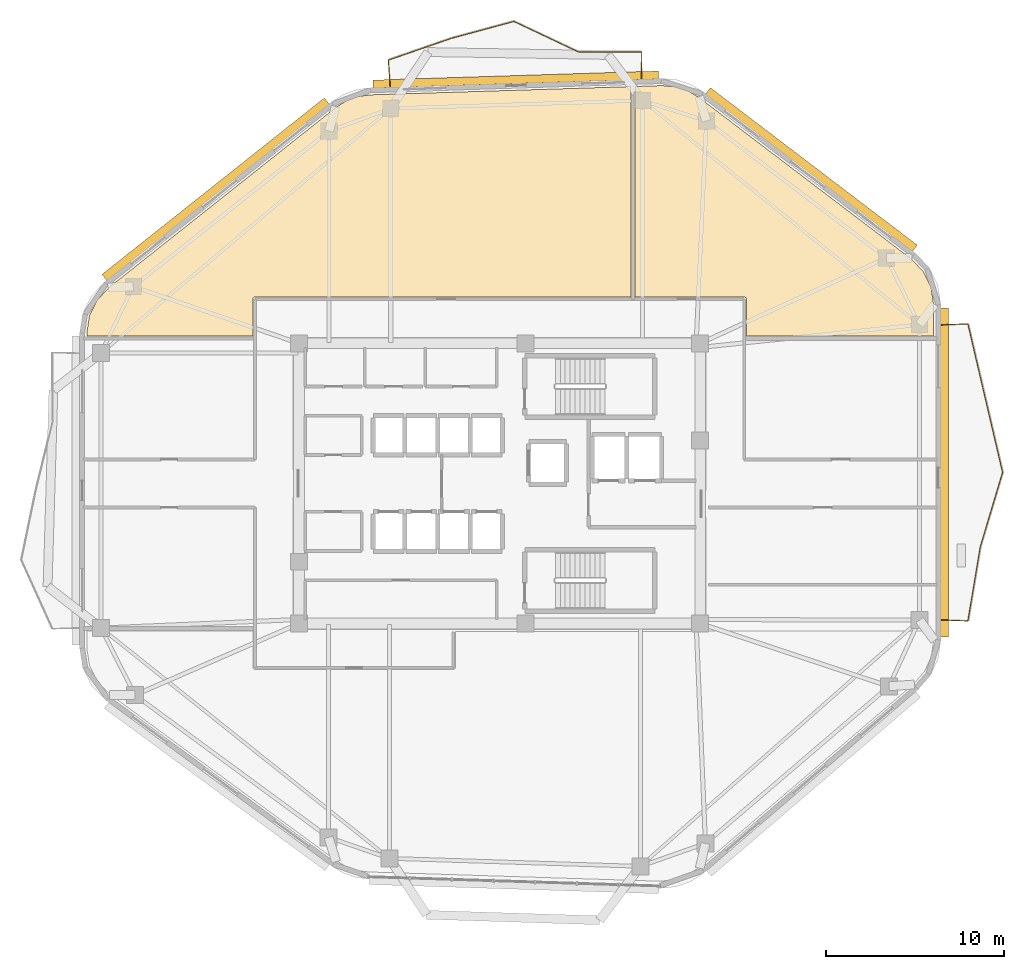
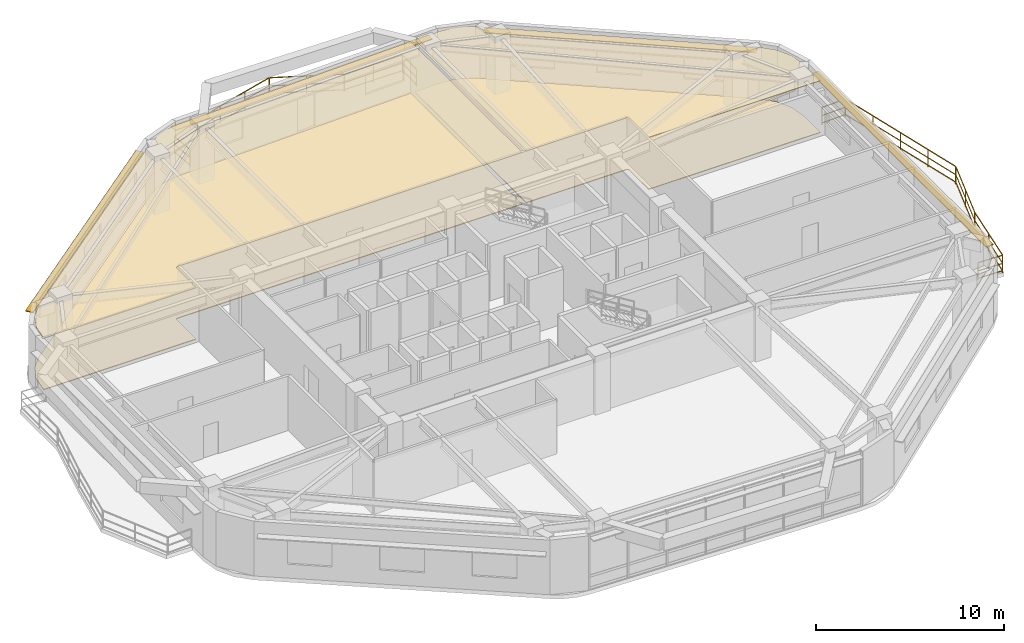
# One storey, part 12 of 12: 11 railings, 4 coverings, 4 shading devices.
"""IFC4 building model written with IfcOpenShell, lengths in metres."""

from ifc_helpers import new_model, si_unit, direction, frame, origin, origin_2d, place, context, subcontext, project, spatial, polyline, rectangle, outline, extrude, material, layer, layer_set, type_object, element, save


model = new_model("IFC4")

# Units and contexts
model_context = context("Model", 3, precision=1e-05, world=origin(), true_north=direction((0.0, 1.0)))
body_context = subcontext(model_context, "Body", "Model", "MODEL_VIEW")
ifc_project = project(units=[si_unit("LENGTHUNIT", "METRE"), si_unit("AREAUNIT", "SQUARE_METRE"), si_unit("VOLUMEUNIT", "CUBIC_METRE"), si_unit("PLANEANGLEUNIT", "RADIAN"), si_unit("MASSUNIT", "GRAM", prefix="KILO")], contexts=[model_context])

# Site, building, storey
site_placement = place(None, origin())
site = spatial("IfcSite", under=ifc_project, at=site_placement, CompositionType="ELEMENT")
building_placement = place(site_placement, origin())
building = spatial("IfcBuilding", under=site, at=building_placement, Name="Zulverin Broadcast Headquarters", CompositionType="ELEMENT")
storey_placement = place(building_placement, frame((0.0, 0.0, 185.800048828125)))
storey = spatial("IfcBuildingStorey", under=building, at=storey_placement, Name="L47", CompositionType="ELEMENT", Elevation=185.800048828125)

# Coverings
ifc_material_1 = material(Name="Perforated pale-metal acoustic baffle ceiling", Category="aluminium")
ifc_layer_1 = layer(ifc_material_1, 0.0400390625, Name="Perforated pale-metal acoustic baffle ceiling", Category="aluminium")
ifc_layer_set_1 = layer_set([ifc_layer_1], Name="Perforated pale-metal acoustic baffle ceiling")
covering_type_1 = type_object("IfcCoveringType", Name="COV-CEIL-ACOU", PredefinedType="CEILING", material=ifc_layer_set_1)
covering_1_placement = place(storey_placement, frame((0.0, 0.0, 3.35986328125)))
element("IfcCovering", 1, at=covering_1_placement, inside=storey, type_object=covering_type_1, Name="L47 Acoustic Baffle Ceiling 01", PredefinedType="CEILING", context=body_context, shape_type="SweptSolid", body=[
    extrude(outline(polyline([(29.031982421875, 46.944091796875), (28.39599609375, 46.7080078125), (27.800048828125, 46.33203125), (15.031982421875, 36.199951171875), (14.364013671875, 35.47607421875), (13.947998046875, 34.615966796875), (13.800048828125, 33.64404296875), (13.800048828125, 33.5), (23.132080078125, 33.5), (23.132080078125, 35.552001953125), (23.132080078125, 35.56396484375), (23.135986328125, 35.575927734375), (23.135986328125, 35.587890625), (23.139892578125, 35.595947265625), (23.14794921875, 35.60791015625), (23.152099609375, 35.6201171875), (23.159912109375, 35.6279296875), (23.16796875, 35.635986328125), (23.176025390625, 35.64404296875), (23.18408203125, 35.652099609375), (23.196044921875, 35.656005859375), (23.2080078125, 35.6640625), (23.216064453125, 35.66796875), (23.22802734375, 35.66796875), (23.239990234375, 35.672119140625), (23.251953125, 35.672119140625), (44.3798828125, 35.672119140625), (44.3798828125, 47.50390625), (29.73193359375, 47.0400390625), (29.031982421875, 46.944091796875)])), origin(), (0.0, 0.0, 1.0), 0.0400390625),
])
covering_2_placement = place(storey_placement, frame((0.0, 0.0, 3.35986328125)))
element("IfcCovering", 2, at=covering_2_placement, inside=storey, type_object=covering_type_1, Name="L47 Acoustic Baffle Ceiling 02", PredefinedType="CEILING", context=body_context, shape_type="SweptSolid", body=[
    extrude(outline(polyline([(60.81201171875, 37.112060546875), (60.112060546875, 37.840087890625), (48.2080078125, 46.89208984375), (47.568115234375, 47.27587890625), (46.8759765625, 47.49609375), (46.1279296875, 47.56005859375), (44.6201171875, 47.511962890625), (44.6201171875, 35.672119140625), (50.751953125, 35.672119140625), (50.763916015625, 35.672119140625), (50.77587890625, 35.66796875), (50.7880859375, 35.66796875), (50.7958984375, 35.6640625), (50.80810546875, 35.656005859375), (50.820068359375, 35.652099609375), (50.827880859375, 35.64404296875), (50.8359375, 35.635986328125), (50.843994140625, 35.6279296875), (50.85205078125, 35.6201171875), (50.85595703125, 35.60791015625), (50.864013671875, 35.595947265625), (50.867919921875, 35.587890625), (50.867919921875, 35.575927734375), (50.8720703125, 35.56396484375), (50.8720703125, 35.552001953125), (50.8720703125, 33.5), (61.39990234375, 33.5), (61.39990234375, 35.239990234375), (61.243896484375, 36.236083984375), (60.81201171875, 37.112060546875)])), origin(), (0.0, 0.0, 1.0), 0.0400390625),
])
ifc_material_2 = material(Name="Anti-static broadcast raised access flooring", Category="stone")
ifc_layer_2 = layer(ifc_material_2, 0.050048828125, Name="Anti-static broadcast raised access flooring", Category="stone")
ifc_layer_set_2 = layer_set([ifc_layer_2], Name="Anti-static broadcast raised access flooring")
covering_type_2 = type_object("IfcCoveringType", Name="COV-FLR-RAISED", PredefinedType="FLOORING", material=ifc_layer_set_2)
covering_3_placement = place(storey_placement, origin())
element("IfcCovering", 3, at=covering_3_placement, inside=storey, type_object=covering_type_2, Name="L47 Broadcast Raised Access Flooring 01", PredefinedType="FLOORING", context=body_context, shape_type="SweptSolid", body=[
    extrude(outline(polyline([(29.031982421875, 46.944091796875), (28.39599609375, 46.7080078125), (27.800048828125, 46.33203125), (15.031982421875, 36.199951171875), (14.364013671875, 35.47607421875), (13.947998046875, 34.615966796875), (13.800048828125, 33.64404296875), (13.800048828125, 33.5), (23.132080078125, 33.5), (23.132080078125, 35.552001953125), (23.132080078125, 35.56396484375), (23.135986328125, 35.575927734375), (23.135986328125, 35.587890625), (23.139892578125, 35.595947265625), (23.14794921875, 35.60791015625), (23.152099609375, 35.6201171875), (23.159912109375, 35.6279296875), (23.16796875, 35.635986328125), (23.176025390625, 35.64404296875), (23.18408203125, 35.652099609375), (23.196044921875, 35.656005859375), (23.2080078125, 35.6640625), (23.216064453125, 35.66796875), (23.22802734375, 35.66796875), (23.239990234375, 35.672119140625), (23.251953125, 35.672119140625), (44.3798828125, 35.672119140625), (44.3798828125, 47.50390625), (29.73193359375, 47.0400390625), (29.031982421875, 46.944091796875)])), origin(), (0.0, 0.0, 1.0), 0.050048828125),
])
covering_4_placement = place(storey_placement, origin())
element("IfcCovering", 4, at=covering_4_placement, inside=storey, type_object=covering_type_2, Name="L47 Broadcast Raised Access Flooring 02", PredefinedType="FLOORING", context=body_context, shape_type="SweptSolid", body=[
    extrude(outline(polyline([(60.81201171875, 37.112060546875), (60.112060546875, 37.840087890625), (48.2080078125, 46.89208984375), (47.568115234375, 47.27587890625), (46.8759765625, 47.49609375), (46.1279296875, 47.56005859375), (44.6201171875, 47.511962890625), (44.6201171875, 35.672119140625), (50.751953125, 35.672119140625), (50.763916015625, 35.672119140625), (50.77587890625, 35.66796875), (50.7880859375, 35.66796875), (50.7958984375, 35.6640625), (50.80810546875, 35.656005859375), (50.820068359375, 35.652099609375), (50.827880859375, 35.64404296875), (50.8359375, 35.635986328125), (50.843994140625, 35.6279296875), (50.85205078125, 35.6201171875), (50.85595703125, 35.60791015625), (50.864013671875, 35.595947265625), (50.867919921875, 35.587890625), (50.867919921875, 35.575927734375), (50.8720703125, 35.56396484375), (50.8720703125, 35.552001953125), (50.8720703125, 33.5), (61.39990234375, 33.5), (61.39990234375, 35.239990234375), (61.243896484375, 36.236083984375), (60.81201171875, 37.112060546875)])), origin(), (0.0, 0.0, 1.0), 0.050048828125),
])

# Railings
ifc_material_3 = material(Name="Brushed stainless steel & laminated glass balustrade", Category="steel")
railing_type = type_object("IfcRailingType", Name="RL-GUARD-1150", PredefinedType="GUARDRAIL", material=ifc_material_3)
railing_1_placement = place(storey_placement, frame((61.840087890625, 17.529296875, 0.0)))
element("IfcRailing", 5, at=railing_1_placement, inside=storey, type_object=railing_type, Name="L47 Vertical-Forest Balcony Guardrail BAL_E Segment 01", PredefinedType="GUARDRAIL", context=body_context, shape_type="SweptSolid", body=[
    extrude(rectangle(XDim=0.048095703125, YDim=0.048095703125, at=origin_2d()), frame((0.0, 0.0, 1.1259765625), z_axis=(0.99918088253, -0.040466825742, 0.0), x_axis=(0.040466825742, 0.99918088253, 0.0)), (0.0, 0.0, 1.0), 1.466064453125),
    extrude(rectangle(XDim=0.0419921875, YDim=0.0419921875, at=origin_2d()), frame((0.0, 0.0, 0.597900390625), z_axis=(0.99918088253, -0.040466825742, 0.0), x_axis=(0.040466825742, 0.99918088253, 0.0)), (0.0, 0.0, 1.0), 1.466064453125),
    extrude(rectangle(XDim=0.0419921875, YDim=0.0419921875, at=origin_2d()), frame((0.0, 0.0, 0.1201171875), z_axis=(0.99918088253, -0.040466825742, 0.0), x_axis=(0.040466825742, 0.99918088253, 0.0)), (0.0, 0.0, 1.0), 1.466064453125),
    extrude(rectangle(XDim=0.0419921875, YDim=0.0419921875, at=origin_2d()), origin(), (0.0, 0.0, 1.0), 1.101806640625),
    extrude(rectangle(XDim=0.0419921875, YDim=0.0419921875, at=origin_2d()), frame((1.46484375, -0.059326171875, 0.0)), (0.0, 0.0, 1.0), 1.101806640625),
])
railing_2_placement = place(storey_placement, frame((63.322509765625, 17.484130859375, 0.0)))
element("IfcRailing", 6, at=railing_2_placement, inside=storey, type_object=railing_type, Name="L47 Vertical-Forest Balcony Guardrail BAL_E Segment 02", PredefinedType="GUARDRAIL", context=body_context, shape_type="SweptSolid", body=[
    extrude(rectangle(XDim=0.048095703125, YDim=0.048095703125, at=origin_2d()), frame((0.0, 0.0, 1.1259765625), z_axis=(0.165180666509, 0.986263325594, 0.0), x_axis=(-0.986263325594, 0.165180666509, 0.0)), (0.0, 0.0, 1.0), 4.20361328125),
    extrude(rectangle(XDim=0.0419921875, YDim=0.0419921875, at=origin_2d()), frame((0.0, 0.0, 0.597900390625), z_axis=(0.165180666509, 0.986263325594, 0.0), x_axis=(-0.986263325594, 0.165180666509, 0.0)), (0.0, 0.0, 1.0), 4.20361328125),
    extrude(rectangle(XDim=0.0419921875, YDim=0.0419921875, at=origin_2d()), frame((0.0, 0.0, 0.1201171875), z_axis=(0.165180666509, 0.986263325594, 0.0), x_axis=(-0.986263325594, 0.165180666509, 0.0)), (0.0, 0.0, 1.0), 4.20361328125),
    extrude(rectangle(XDim=0.0419921875, YDim=0.0419921875, at=origin_2d()), origin(), (0.0, 0.0, 1.0), 1.101806640625),
    extrude(rectangle(XDim=0.0419921875, YDim=0.0419921875, at=origin_2d()), frame((0.34716796875, 2.07275390625, 0.0)), (0.0, 0.0, 1.0), 1.101806640625),
    extrude(rectangle(XDim=0.0419921875, YDim=0.0419921875, at=origin_2d()), frame((0.6943359375, 4.145751953125, 0.0)), (0.0, 0.0, 1.0), 1.101806640625),
])
railing_3_placement = place(storey_placement, frame((64.023681640625, 21.6591796875, 0.0)))
element("IfcRailing", 7, at=railing_3_placement, inside=storey, type_object=railing_type, Name="L47 Vertical-Forest Balcony Guardrail BAL_E Segment 03", PredefinedType="GUARDRAIL", context=body_context, shape_type="SweptSolid", body=[
    extrude(rectangle(XDim=0.048095703125, YDim=0.048095703125, at=origin_2d()), frame((0.0, 0.0, 1.1259765625), z_axis=(0.286908036863, 0.957958129765, 0.0), x_axis=(-0.957958129765, 0.286908036863, 0.0)), (0.0, 0.0, 1.0), 4.32861328125),
    extrude(rectangle(XDim=0.0419921875, YDim=0.0419921875, at=origin_2d()), frame((0.0, 0.0, 0.597900390625), z_axis=(0.286908036863, 0.957958129765, 0.0), x_axis=(-0.957958129765, 0.286908036863, 0.0)), (0.0, 0.0, 1.0), 4.32861328125),
    extrude(rectangle(XDim=0.0419921875, YDim=0.0419921875, at=origin_2d()), frame((0.0, 0.0, 0.1201171875), z_axis=(0.286908036863, 0.957958129765, 0.0), x_axis=(-0.957958129765, 0.286908036863, 0.0)), (0.0, 0.0, 1.0), 4.32861328125),
    extrude(rectangle(XDim=0.0419921875, YDim=0.0419921875, at=origin_2d()), origin(), (0.0, 0.0, 1.0), 1.101806640625),
    extrude(rectangle(XDim=0.0419921875, YDim=0.0419921875, at=origin_2d()), frame((0.62109375, 2.0732421875, 0.0)), (0.0, 0.0, 1.0), 1.101806640625),
    extrude(rectangle(XDim=0.0419921875, YDim=0.0419921875, at=origin_2d()), frame((1.241943359375, 4.146728515625, 0.0)), (0.0, 0.0, 1.0), 1.101806640625),
])
railing_4_placement = place(storey_placement, frame((65.2666015625, 25.8349609375, 0.0)))
element("IfcRailing", 8, at=railing_4_placement, inside=storey, type_object=railing_type, Name="L47 Vertical-Forest Balcony Guardrail BAL_E Segment 04", PredefinedType="GUARDRAIL", context=body_context, shape_type="SweptSolid", body=[
    extrude(rectangle(XDim=0.048095703125, YDim=0.048095703125, at=origin_2d()), frame((0.0, 0.0, 1.1259765625), z_axis=(-0.227375013323, 0.973807272162, 0.0), x_axis=(-0.973807272162, -0.227375013323, 0.0)), (0.0, 0.0, 1.0), 8.5458984375),
    extrude(rectangle(XDim=0.0419921875, YDim=0.0419921875, at=origin_2d()), frame((0.0, 0.0, 0.597900390625), z_axis=(-0.227375013323, 0.973807272162, 0.0), x_axis=(-0.973807272162, -0.227375013323, 0.0)), (0.0, 0.0, 1.0), 8.5458984375),
    extrude(rectangle(XDim=0.0419921875, YDim=0.0419921875, at=origin_2d()), frame((0.0, 0.0, 0.1201171875), z_axis=(-0.227375013323, 0.973807272162, 0.0), x_axis=(-0.973807272162, -0.227375013323, 0.0)), (0.0, 0.0, 1.0), 8.5458984375),
    extrude(rectangle(XDim=0.0419921875, YDim=0.0419921875, at=origin_2d()), origin(), (0.0, 0.0, 1.0), 1.101806640625),
    extrude(rectangle(XDim=0.0419921875, YDim=0.0419921875, at=origin_2d()), frame((-0.48583984375, 2.08056640625, 0.0)), (0.0, 0.0, 1.0), 1.101806640625),
    extrude(rectangle(XDim=0.0419921875, YDim=0.0419921875, at=origin_2d()), frame((-0.9716796875, 4.1611328125, 0.0)), (0.0, 0.0, 1.0), 1.101806640625),
    extrude(rectangle(XDim=0.0419921875, YDim=0.0419921875, at=origin_2d()), frame((-1.457275390625, 6.241455078125, 0.0)), (0.0, 0.0, 1.0), 1.101806640625),
    extrude(rectangle(XDim=0.0419921875, YDim=0.0419921875, at=origin_2d()), frame((-1.943115234375, 8.322021484375, 0.0)), (0.0, 0.0, 1.0), 1.101806640625),
])
railing_5_placement = place(storey_placement, frame((63.304931640625, 34.1708984375, 0.0)))
element("IfcRailing", 9, at=railing_5_placement, inside=storey, type_object=railing_type, Name="L47 Vertical-Forest Balcony Guardrail BAL_E Segment 05", PredefinedType="GUARDRAIL", context=body_context, shape_type="SweptSolid", body=[
    extrude(rectangle(XDim=0.048095703125, YDim=0.048095703125, at=origin_2d()), frame((0.0, 0.0, 1.1259765625), z_axis=(-0.99918088253, -0.040466825742, 0.0), x_axis=(0.040466825742, -0.99918088253, 0.0)), (0.0, 0.0, 1.0), 1.466064453125),
    extrude(rectangle(XDim=0.0419921875, YDim=0.0419921875, at=origin_2d()), frame((0.0, 0.0, 0.597900390625), z_axis=(-0.99918088253, -0.040466825742, 0.0), x_axis=(0.040466825742, -0.99918088253, 0.0)), (0.0, 0.0, 1.0), 1.466064453125),
    extrude(rectangle(XDim=0.0419921875, YDim=0.0419921875, at=origin_2d()), frame((0.0, 0.0, 0.1201171875), z_axis=(-0.99918088253, -0.040466825742, 0.0), x_axis=(0.040466825742, -0.99918088253, 0.0)), (0.0, 0.0, 1.0), 1.466064453125),
    extrude(rectangle(XDim=0.0419921875, YDim=0.0419921875, at=origin_2d()), origin(), (0.0, 0.0, 1.0), 1.101806640625),
    extrude(rectangle(XDim=0.0419921875, YDim=0.0419921875, at=origin_2d()), frame((-1.46484375, -0.059326171875, 0.0)), (0.0, 0.0, 1.0), 1.101806640625),
])
railing_6_placement = place(storey_placement, frame((44.978271484375, 47.962646484375, 0.0)))
element("IfcRailing", 10, at=railing_6_placement, inside=storey, type_object=railing_type, Name="L47 Vertical-Forest Balcony Guardrail BAL_N Segment 01", PredefinedType="GUARDRAIL", context=body_context, shape_type="SweptSolid", body=[
    extrude(rectangle(XDim=0.048095703125, YDim=0.048095703125, at=origin_2d()), frame((0.0, 0.0, 1.1259765625), z_axis=(0.008825634609, 0.999961053328, 0.0), x_axis=(-0.999961053328, 0.008825634609, 0.0)), (0.0, 0.0, 1.0), 1.466064453125),
    extrude(rectangle(XDim=0.0419921875, YDim=0.0419921875, at=origin_2d()), frame((0.0, 0.0, 0.597900390625), z_axis=(0.008825634609, 0.999961053328, 0.0), x_axis=(-0.999961053328, 0.008825634609, 0.0)), (0.0, 0.0, 1.0), 1.466064453125),
    extrude(rectangle(XDim=0.0419921875, YDim=0.0419921875, at=origin_2d()), frame((0.0, 0.0, 0.1201171875), z_axis=(0.008825634609, 0.999961053328, 0.0), x_axis=(-0.999961053328, 0.008825634609, 0.0)), (0.0, 0.0, 1.0), 1.466064453125),
    extrude(rectangle(XDim=0.0419921875, YDim=0.0419921875, at=origin_2d()), origin(), (0.0, 0.0, 1.0), 1.101806640625),
    extrude(rectangle(XDim=0.0419921875, YDim=0.0419921875, at=origin_2d()), frame((0.012939453125, 1.466064453125, 0.0)), (0.0, 0.0, 1.0), 1.101806640625),
])
railing_7_placement = place(storey_placement, frame((44.976318359375, 49.44384765625, 0.0)))
element("IfcRailing", 11, at=railing_7_placement, inside=storey, type_object=railing_type, Name="L47 Vertical-Forest Balcony Guardrail BAL_N Segment 02", PredefinedType="GUARDRAIL", context=body_context, shape_type="SweptSolid", body=[
    extrude(rectangle(XDim=0.048095703125, YDim=0.048095703125, at=origin_2d()), frame((0.0, 0.0, 1.1259765625), z_axis=(-0.999993798322, 0.003521834384, 0.0), x_axis=(-0.003521834384, -0.999993798322, 0.0)), (0.0, 0.0, 1.0), 3.535400390625),
    extrude(rectangle(XDim=0.0419921875, YDim=0.0419921875, at=origin_2d()), frame((0.0, 0.0, 0.597900390625), z_axis=(-0.999993798322, 0.003521834384, 0.0), x_axis=(-0.003521834384, -0.999993798322, 0.0)), (0.0, 0.0, 1.0), 3.535400390625),
    extrude(rectangle(XDim=0.0419921875, YDim=0.0419921875, at=origin_2d()), frame((0.0, 0.0, 0.1201171875), z_axis=(-0.999993798322, 0.003521834384, 0.0), x_axis=(-0.003521834384, -0.999993798322, 0.0)), (0.0, 0.0, 1.0), 3.535400390625),
    extrude(rectangle(XDim=0.0419921875, YDim=0.0419921875, at=origin_2d()), origin(), (0.0, 0.0, 1.0), 1.101806640625),
    extrude(rectangle(XDim=0.0419921875, YDim=0.0419921875, at=origin_2d()), frame((-1.767578125, 0.00634765625, 0.0)), (0.0, 0.0, 1.0), 1.101806640625),
    extrude(rectangle(XDim=0.0419921875, YDim=0.0419921875, at=origin_2d()), frame((-3.535400390625, 0.012451171875, 0.0)), (0.0, 0.0, 1.0), 1.101806640625),
])
railing_8_placement = place(storey_placement, frame((41.412353515625, 49.462890625, 0.0)))
element("IfcRailing", 12, at=railing_8_placement, inside=storey, type_object=railing_type, Name="L47 Vertical-Forest Balcony Guardrail BAL_N Segment 03", PredefinedType="GUARDRAIL", context=body_context, shape_type="SweptSolid", body=[
    extrude(rectangle(XDim=0.048095703125, YDim=0.048095703125, at=origin_2d()), frame((0.0, 0.0, 1.1259765625), z_axis=(-0.904125358582, 0.427267288671, 0.0), x_axis=(-0.427267288671, -0.904125358582, 0.0)), (0.0, 0.0, 1.0), 3.972900390625),
    extrude(rectangle(XDim=0.0419921875, YDim=0.0419921875, at=origin_2d()), frame((0.0, 0.0, 0.597900390625), z_axis=(-0.904125358582, 0.427267288671, 0.0), x_axis=(-0.427267288671, -0.904125358582, 0.0)), (0.0, 0.0, 1.0), 3.972900390625),
    extrude(rectangle(XDim=0.0419921875, YDim=0.0419921875, at=origin_2d()), frame((0.0, 0.0, 0.1201171875), z_axis=(-0.904125358582, 0.427267288671, 0.0), x_axis=(-0.427267288671, -0.904125358582, 0.0)), (0.0, 0.0, 1.0), 3.972900390625),
    extrude(rectangle(XDim=0.0419921875, YDim=0.0419921875, at=origin_2d()), origin(), (0.0, 0.0, 1.0), 1.101806640625),
    extrude(rectangle(XDim=0.0419921875, YDim=0.0419921875, at=origin_2d()), frame((-1.7958984375, 0.8486328125, 0.0)), (0.0, 0.0, 1.0), 1.101806640625),
    extrude(rectangle(XDim=0.0419921875, YDim=0.0419921875, at=origin_2d()), frame((-3.592041015625, 1.697509765625, 0.0)), (0.0, 0.0, 1.0), 1.101806640625),
])
railing_9_placement = place(storey_placement, frame((37.792236328125, 51.1630859375, 0.0)))
element("IfcRailing", 13, at=railing_9_placement, inside=storey, type_object=railing_type, Name="L47 Vertical-Forest Balcony Guardrail BAL_N Segment 04", PredefinedType="GUARDRAIL", context=body_context, shape_type="SweptSolid", body=[
    extrude(rectangle(XDim=0.048095703125, YDim=0.048095703125, at=origin_2d()), frame((0.0, 0.0, 1.1259765625), z_axis=(-0.965394050687, -0.260795565333, 0.0), x_axis=(0.260795565333, -0.965394050687, 0.0)), (0.0, 0.0, 1.0), 3.63134765625),
    extrude(rectangle(XDim=0.0419921875, YDim=0.0419921875, at=origin_2d()), frame((0.0, 0.0, 0.597900390625), z_axis=(-0.965394050687, -0.260795565333, 0.0), x_axis=(0.260795565333, -0.965394050687, 0.0)), (0.0, 0.0, 1.0), 3.63134765625),
    extrude(rectangle(XDim=0.0419921875, YDim=0.0419921875, at=origin_2d()), frame((0.0, 0.0, 0.1201171875), z_axis=(-0.965394050687, -0.260795565333, 0.0), x_axis=(0.260795565333, -0.965394050687, 0.0)), (0.0, 0.0, 1.0), 3.63134765625),
    extrude(rectangle(XDim=0.0419921875, YDim=0.0419921875, at=origin_2d()), origin(), (0.0, 0.0, 1.0), 1.101806640625),
    extrude(rectangle(XDim=0.0419921875, YDim=0.0419921875, at=origin_2d()), frame((-1.7529296875, -0.4736328125, 0.0)), (0.0, 0.0, 1.0), 1.101806640625),
    extrude(rectangle(XDim=0.0419921875, YDim=0.0419921875, at=origin_2d()), frame((-3.505615234375, -0.947021484375, 0.0)), (0.0, 0.0, 1.0), 1.101806640625),
])
railing_10_placement = place(storey_placement, frame((34.2578125, 50.207275390625, 0.0)))
element("IfcRailing", 14, at=railing_10_placement, inside=storey, type_object=railing_type, Name="L47 Vertical-Forest Balcony Guardrail BAL_N Segment 05", PredefinedType="GUARDRAIL", context=body_context, shape_type="SweptSolid", body=[
    extrude(rectangle(XDim=0.048095703125, YDim=0.048095703125, at=origin_2d()), frame((0.0, 0.0, 1.1259765625), z_axis=(-0.945013517275, -0.327031270932, 0.0), x_axis=(0.327031270932, -0.945013517275, 0.0)), (0.0, 0.0, 1.0), 3.701416015625),
    extrude(rectangle(XDim=0.0419921875, YDim=0.0419921875, at=origin_2d()), frame((0.0, 0.0, 0.597900390625), z_axis=(-0.945013517275, -0.327031270932, 0.0), x_axis=(0.327031270932, -0.945013517275, 0.0)), (0.0, 0.0, 1.0), 3.701416015625),
    extrude(rectangle(XDim=0.0419921875, YDim=0.0419921875, at=origin_2d()), frame((0.0, 0.0, 0.1201171875), z_axis=(-0.945013517275, -0.327031270932, 0.0), x_axis=(0.327031270932, -0.945013517275, 0.0)), (0.0, 0.0, 1.0), 3.701416015625),
    extrude(rectangle(XDim=0.0419921875, YDim=0.0419921875, at=origin_2d()), origin(), (0.0, 0.0, 1.0), 1.101806640625),
    extrude(rectangle(XDim=0.0419921875, YDim=0.0419921875, at=origin_2d()), frame((-1.7490234375, -0.605224609375, 0.0)), (0.0, 0.0, 1.0), 1.101806640625),
    extrude(rectangle(XDim=0.0419921875, YDim=0.0419921875, at=origin_2d()), frame((-3.497802734375, -1.21044921875, 0.0)), (0.0, 0.0, 1.0), 1.101806640625),
])
railing_11_placement = place(storey_placement, frame((30.7470703125, 48.976806640625, 0.0)))
element("IfcRailing", 15, at=railing_11_placement, inside=storey, type_object=railing_type, Name="L47 Vertical-Forest Balcony Guardrail BAL_N Segment 06", PredefinedType="GUARDRAIL", context=body_context, shape_type="SweptSolid", body=[
    extrude(rectangle(XDim=0.048095703125, YDim=0.048095703125, at=origin_2d()), frame((0.0, 0.0, 1.1259765625), z_axis=(0.072110992432, -0.997396613575, 0.0), x_axis=(0.997396613575, 0.072110992432, 0.0)), (0.0, 0.0, 1.0), 1.466064453125),
    extrude(rectangle(XDim=0.0419921875, YDim=0.0419921875, at=origin_2d()), frame((0.0, 0.0, 0.597900390625), z_axis=(0.072110992432, -0.997396613575, 0.0), x_axis=(0.997396613575, 0.072110992432, 0.0)), (0.0, 0.0, 1.0), 1.466064453125),
    extrude(rectangle(XDim=0.0419921875, YDim=0.0419921875, at=origin_2d()), frame((0.0, 0.0, 0.1201171875), z_axis=(0.072110992432, -0.997396613575, 0.0), x_axis=(0.997396613575, 0.072110992432, 0.0)), (0.0, 0.0, 1.0), 1.466064453125),
    extrude(rectangle(XDim=0.0419921875, YDim=0.0419921875, at=origin_2d()), origin(), (0.0, 0.0, 1.0), 1.101806640625),
    extrude(rectangle(XDim=0.0419921875, YDim=0.0419921875, at=origin_2d()), frame((0.105712890625, -1.462158203125, 0.0)), (0.0, 0.0, 1.0), 1.101806640625),
])

# Shading devices
ifc_material_4 = material(Name="Anodized pale-metal aluminium sunshade", Category="aluminium")
ifc_layer_3 = layer(ifc_material_4, 0.06005859375, Name="Anodized pale-metal aluminium sunshade", Category="aluminium")
ifc_layer_set_3 = layer_set([ifc_layer_3], Name="Anodized pale-metal aluminium sunshade")
shading_device_type = type_object("IfcShadingDeviceType", Name="SS-01_PALE_METAL_ALUMINIUM_SUNSHADE", PredefinedType="USERDEFINED", material=ifc_layer_set_3)
shading_device_1_placement = place(storey_placement, frame((62.0, 25.8203125, 2.7099609375), z_axis=(0.0, 0.0, 1.0), x_axis=(0.0, 1.0, 0.0)))
element("IfcShadingDevice", 16, at=shading_device_1_placement, inside=storey, type_object=shading_device_type, Name="L47 Horizontal Pale-Metal Sunshade Band 3", ObjectType="SUNSHADE", PredefinedType="USERDEFINED", context=body_context, shape_type="SweptSolid", body=[
    extrude(rectangle(XDim=18.502197265625, YDim=0.449951171875, at=origin_2d()), origin(), (0.0, 0.0, 1.0), 0.06005859375),
])
shading_device_2_placement = place(storey_placement, frame((54.527587890625, 42.840576171875, 2.7099609375), z_axis=(0.0, 0.0, 1.0), x_axis=(-0.795836111996, 0.605512083152, 0.0)))
element("IfcShadingDevice", 17, at=shading_device_2_placement, inside=storey, type_object=shading_device_type, Name="L47 Horizontal Pale-Metal Sunshade Band 4", ObjectType="SUNSHADE", PredefinedType="USERDEFINED", context=body_context, shape_type="SweptSolid", body=[
    extrude(rectangle(XDim=14.61181640625, YDim=0.449951171875, at=origin_2d()), origin(), (0.0, 0.0, 1.0), 0.06005859375),
])
shading_device_3_placement = place(storey_placement, frame((37.910400390625, 47.8984375, 2.7099609375), z_axis=(0.0, 0.0, 1.0), x_axis=(-0.999497141269, -0.031709061709, 0.0)))
element("IfcShadingDevice", 18, at=shading_device_3_placement, inside=storey, type_object=shading_device_type, Name="L47 Horizontal Pale-Metal Sunshade Band 5", ObjectType="SUNSHADE", PredefinedType="USERDEFINED", context=body_context, shape_type="SweptSolid", body=[
    extrude(rectangle(XDim=16.052490234375, YDim=0.449951171875, at=origin_2d()), origin(), (0.0, 0.0, 1.0), 0.06005859375),
])
shading_device_4_placement = place(storey_placement, frame((21.0419921875, 41.73291015625, 2.7099609375), z_axis=(0.0, 0.0, 1.0), x_axis=(-0.783270473924, -0.621681079556, 0.0)))
element("IfcShadingDevice", 19, at=shading_device_4_placement, inside=storey, type_object=shading_device_type, Name="L47 Horizontal Pale-Metal Sunshade Band 6", ObjectType="SUNSHADE", PredefinedType="USERDEFINED", context=body_context, shape_type="SweptSolid", body=[
    extrude(rectangle(XDim=15.953125, YDim=0.449951171875, at=origin_2d()), origin(), (0.0, 0.0, 1.0), 0.06005859375),
])

save(model, "model.ifc")
